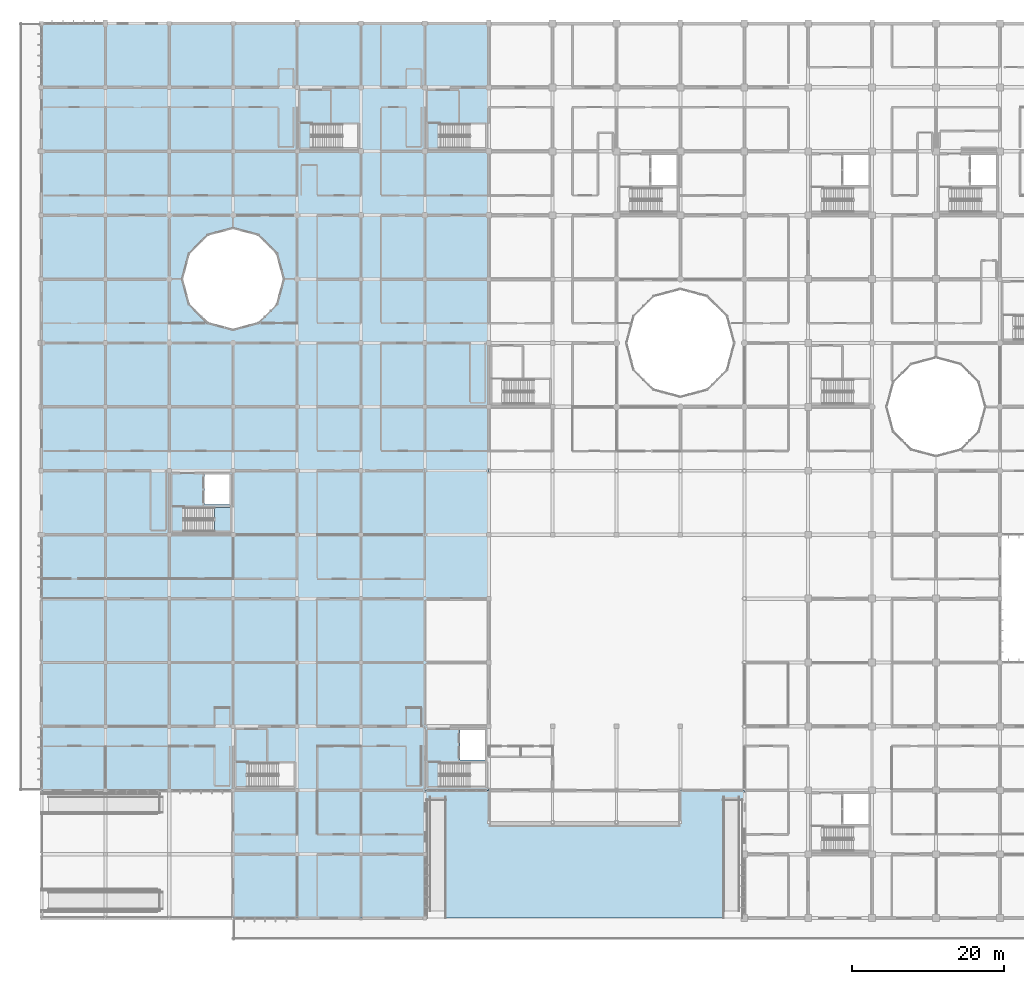
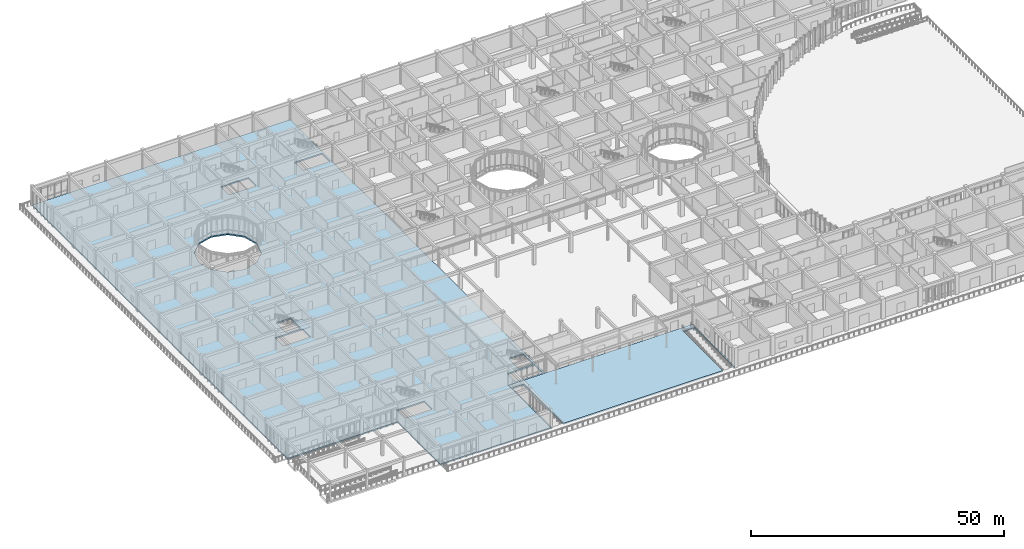
# One storey, part 65 of 138: 3 slabs, 1 element without a shape of its own.
"""IFC4 building model written with IfcOpenShell, lengths in metres."""

from ifc_helpers import new_model, si_unit, direction, frame, origin, place, context, subcontext, project, spatial, polyline, outline, extrude, material, layer, layer_set, type_object, element, aggregate, save


model = new_model("IFC4")

# Units and contexts
model_context = context("Model", 3, precision=1e-05, world=origin(), true_north=direction((0.0, 1.0)))
body_context = subcontext(model_context, "Body", "Model", "MODEL_VIEW")
ifc_project = project(units=[si_unit("LENGTHUNIT", "METRE"), si_unit("AREAUNIT", "SQUARE_METRE"), si_unit("VOLUMEUNIT", "CUBIC_METRE"), si_unit("PLANEANGLEUNIT", "RADIAN"), si_unit("MASSUNIT", "GRAM", prefix="KILO")], contexts=[model_context])

# Site, building, storey
site_placement = place(None, origin())
site = spatial("IfcSite", under=ifc_project, at=site_placement, CompositionType="ELEMENT")
building_placement = place(site_placement, origin())
building = spatial("IfcBuilding", under=site, at=building_placement, Name="Bramfleet General Hospital", CompositionType="ELEMENT")
storey_placement = place(building_placement, origin())
storey = spatial("IfcBuildingStorey", under=building, at=storey_placement, Name="L00", CompositionType="ELEMENT", Elevation=0.0)

# Slab
ifc_material = material(Name="Concrete C35/45", Category="concrete")
ifc_layer_1 = layer(ifc_material, 0.320068359375, Name="SL-FLR-320")
ifc_layer_set_1 = layer_set([ifc_layer_1], Name="Concrete C35/45")
slab_type_1 = type_object("IfcSlabType", Name="SL-FLR-320", PredefinedType="FLOOR", material=ifc_layer_set_1)
slab_1_placement = place(storey_placement, frame((0.0, 0.0, -0.320068359375)))
element("IfcSlab", 1, at=slab_1_placement, inside=storey, type_object=slab_type_1, Name="L00 Structural Floor Slab (WEST)", PredefinedType="FLOOR", context=body_context, shape_type="SweptSolid", body=[
    extrude(outline(polyline([(0.0, 33.60009765625), (0.0, 42.0), (0.0, 50.39990234375), (0.0, 58.800048828125), (0.0, 67.199951171875), (0.0, 75.60009765625), (0.0, 84.0), (0.0, 92.39990234375), (0.0, 100.800048828125), (0.0, 109.199951171875), (0.0, 117.60009765625), (8.39990234375, 117.60009765625), (16.800048828125, 117.60009765625), (25.199951171875, 117.60009765625), (33.60009765625, 117.60009765625), (42.0, 117.60009765625), (50.39990234375, 117.60009765625), (58.800048828125, 117.60009765625), (58.800048828125, 16.800048828125), (50.39990234375, 16.800048828125), (50.39990234375, 8.39990234375), (50.39990234375, 0.0), (42.0, 0.0), (33.60009765625, 0.0), (25.199951171875, 0.0), (25.199951171875, 8.39990234375), (25.199951171875, 16.800048828125), (16.800048828125, 16.800048828125), (8.39990234375, 16.800048828125), (0.0, 16.800048828125), (0.0, 25.199951171875), (0.0, 33.60009765625)]), holes=[polyline([(19.484130859375, 80.699951171875), (21.89990234375, 78.2841796875), (25.199951171875, 77.39990234375), (28.5, 78.2841796875), (30.915771484375, 80.699951171875), (31.800048828125, 84.0), (30.915771484375, 87.300048828125), (28.5, 89.7158203125), (25.199951171875, 90.60009765625), (21.89990234375, 89.7158203125), (19.484130859375, 87.300048828125), (18.60009765625, 84.0), (19.484130859375, 80.699951171875)]), polyline([(52.239990234375, 17.219970703125), (58.4599609375, 17.219970703125), (58.4599609375, 20.3798828125), (52.239990234375, 20.3798828125), (52.239990234375, 17.219970703125)]), polyline([(55.02001953125, 20.800048828125), (58.35009765625, 20.800048828125), (58.35009765625, 24.75), (55.02001953125, 24.75), (55.02001953125, 20.800048828125)]), polyline([(18.639892578125, 50.820068359375), (24.860107421875, 50.820068359375), (24.860107421875, 53.97998046875), (18.639892578125, 53.97998046875), (18.639892578125, 50.820068359375)]), polyline([(21.419921875, 54.39990234375), (24.75, 54.39990234375), (24.75, 58.35009765625), (21.419921875, 58.35009765625), (21.419921875, 54.39990234375)]), polyline([(27.0400390625, 17.219970703125), (33.260009765625, 17.219970703125), (33.260009765625, 20.3798828125), (27.0400390625, 20.3798828125), (27.0400390625, 17.219970703125)]), polyline([(35.43994140625, 101.219970703125), (41.659912109375, 101.219970703125), (41.659912109375, 104.3798828125), (35.43994140625, 104.3798828125), (35.43994140625, 101.219970703125)]), polyline([(52.239990234375, 101.219970703125), (58.4599609375, 101.219970703125), (58.4599609375, 104.3798828125), (52.239990234375, 104.3798828125), (52.239990234375, 101.219970703125)])]), origin(), (0.0, 0.0, 1.0), 0.320068359375),
])

# Stair, slab
stair_type = type_object("IfcStairType", Name="STR-T2", PredefinedType="HALF_TURN_STAIR", material=ifc_material)
stair_placement = place(storey_placement, origin())
stair = element("IfcStair", 2, at=stair_placement, inside=storey, type_object=stair_type, Name="L00 Core C2 (Emergency & Surgical) Protected Escape Stair", PredefinedType="HALF_TURN_STAIR")
ifc_layer_2 = layer(ifc_material, 0.199951171875, Name="SL-LND-200")
ifc_layer_set_2 = layer_set([ifc_layer_2], Name="Concrete C35/45")
slab_type_2 = type_object("IfcSlabType", Name="SL-LND-200", PredefinedType="LANDING", material=ifc_layer_set_2)
slab_2_placement = place(storey_placement, frame((0.0, 0.0, 2.199951171875)))
slab_2 = element("IfcSlab", 3, at=slab_2_placement, type_object=slab_type_2, Name="ST-C2 landing 1", PredefinedType="LANDING", context=body_context, shape_type="SweptSolid", body=[
    extrude(outline(polyline([(22.77001953125, 50.820068359375), (24.860107421875, 50.820068359375), (24.860107421875, 53.97998046875), (22.77001953125, 53.97998046875), (22.77001953125, 50.820068359375)])), origin(), (0.0, 0.0, 1.0), 0.199951171875),
])
aggregate(stair, [slab_2])

# Slab
ifc_layer_3 = layer(ifc_material, 0.31005859375, Name="SL-TER-310")
ifc_layer_set_3 = layer_set([ifc_layer_3], Name="Concrete C35/45")
slab_type_3 = type_object("IfcSlabType", Name="SL-TER-310", PredefinedType="FLOOR", material=ifc_layer_set_3)
slab_3_placement = place(storey_placement, frame((0.0, 0.0, -0.31005859375)))
element("IfcSlab", 4, at=slab_3_placement, inside=storey, type_object=slab_type_3, Name="L00 Flood-Plinth Forecourt Promenade", PredefinedType="FLOOR", context=body_context, shape_type="SweptSolid", body=[
    extrude(outline(polyline([(50.39990234375, 0.0), (50.39990234375, 16.800048828125), (92.39990234375, 16.800048828125), (92.39990234375, 0.0), (92.199951171875, 0.0), (92.199951171875, 15.60009765625), (89.60009765625, 15.60009765625), (89.60009765625, 0.0), (53.199951171875, 0.0), (53.199951171875, 15.60009765625), (50.60009765625, 15.60009765625), (50.60009765625, 0.0), (50.39990234375, 0.0)])), origin(), (0.0, 0.0, 1.0), 0.31005859375),
])

save(model, "model.ifc")
